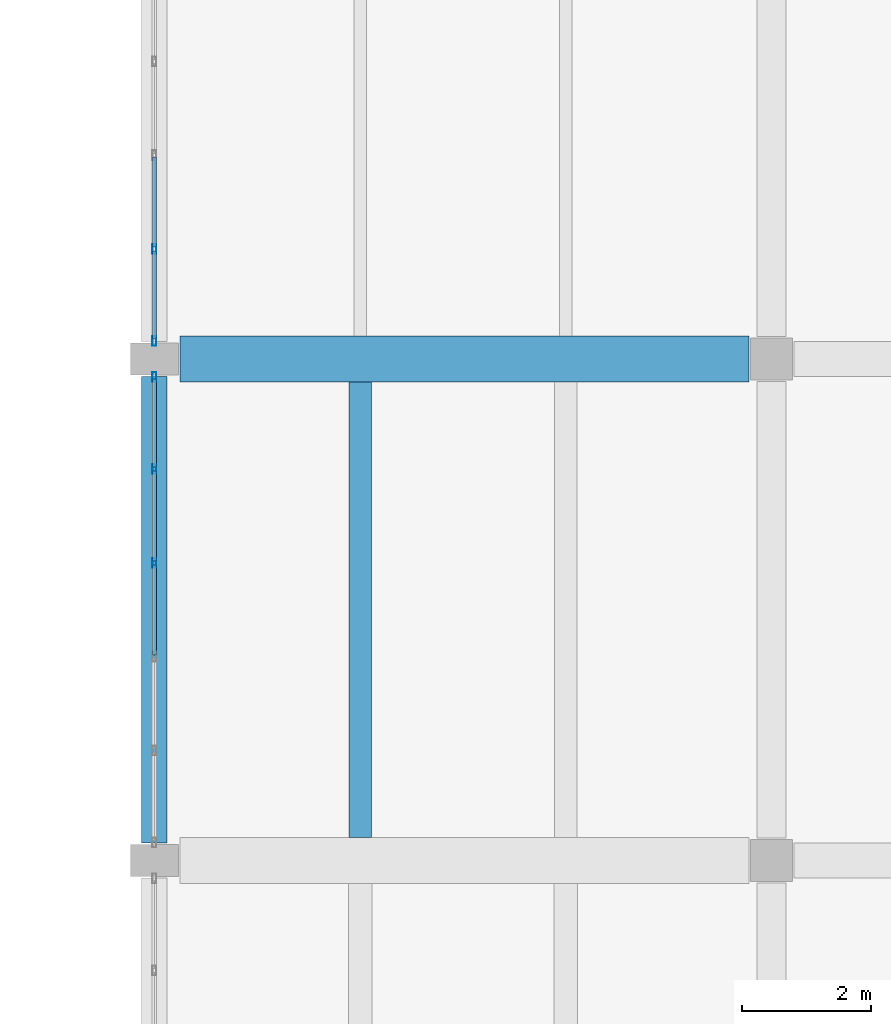
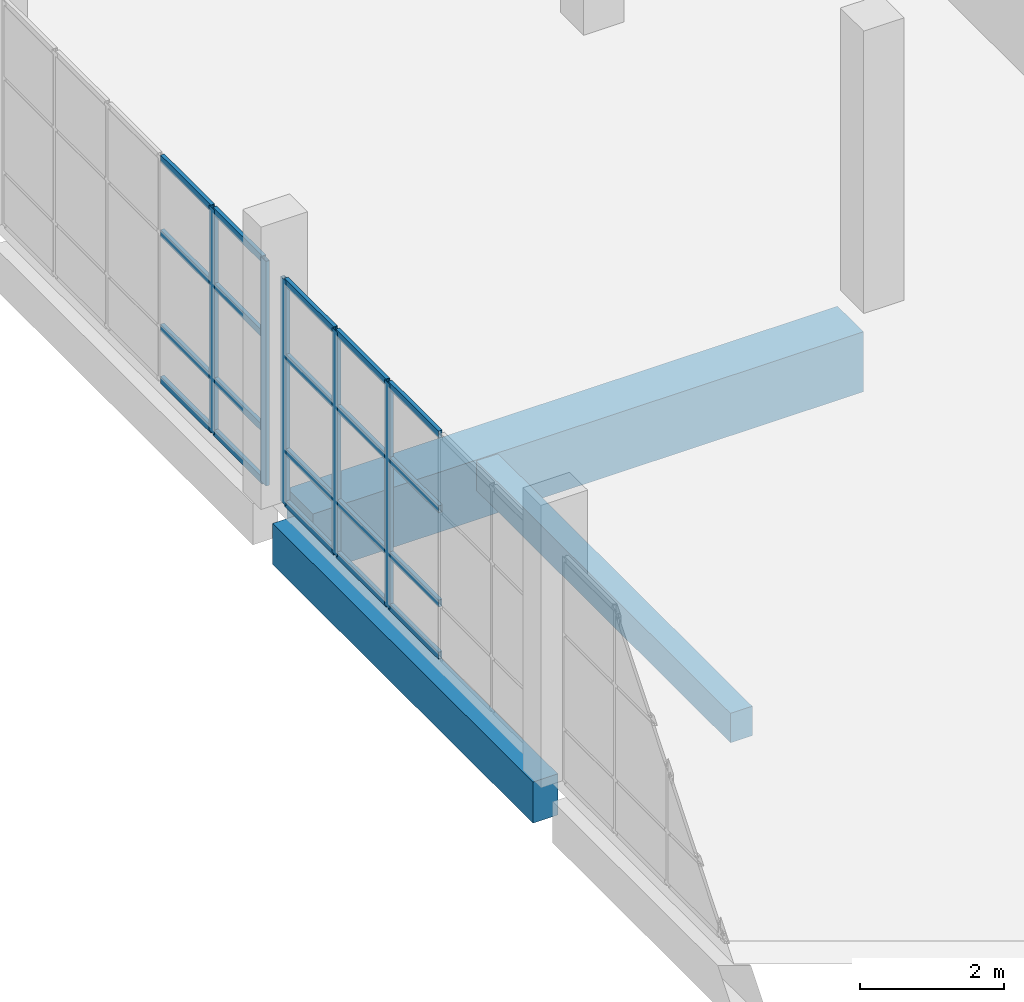
# One storey, part 39 of 79: 25 members, 3 beams, 2 elements without a shape of their own.
"""IFC4 building model written with IfcOpenShell, lengths in metres."""

from ifc_helpers import new_model, si_unit, direction, frame, origin, origin_2d, place, context, subcontext, project, spatial, rectangle, hollow_rectangle, extrude, material, material_profile, profile_set, type_object, element, aggregate, save


model = new_model("IFC4")

# Units and contexts
model_context = context("Model", 3, precision=1e-05, world=origin(), true_north=direction((0.0, 1.0)))
body_context = subcontext(model_context, "Body", "Model", "MODEL_VIEW")
ifc_project = project(units=[si_unit("LENGTHUNIT", "METRE"), si_unit("AREAUNIT", "SQUARE_METRE"), si_unit("VOLUMEUNIT", "CUBIC_METRE"), si_unit("PLANEANGLEUNIT", "RADIAN"), si_unit("MASSUNIT", "GRAM", prefix="KILO")], contexts=[model_context])

# Site, building, storey
site_placement = place(None, origin())
site = spatial("IfcSite", under=ifc_project, at=site_placement, CompositionType="ELEMENT")
building_placement = place(site_placement, origin())
building = spatial("IfcBuilding", under=site, at=building_placement, Name="Pellamere Symphony Hall", CompositionType="ELEMENT")
storey_placement = place(building_placement, frame((0.0, 0.0, 10.199951171875)))
storey = spatial("IfcBuildingStorey", under=building, at=storey_placement, Name="L02", CompositionType="ELEMENT", Elevation=10.199951171875)

# Curtain wall, members
ifc_material_1 = material(Name="Thermally Broken Anodised Aluminium 6063-T6 Curtain Wall", Category="aluminium")
curtain_wall_type = type_object("IfcCurtainWallType", Name="Curtain Wall CW-05 (Artists Wing North Studio Ribbon Curtain Wall)", PredefinedType="NOTDEFINED", material=ifc_material_1)
curtain_wall_1_placement = place(storey_placement, origin())
curtain_wall_1 = element("IfcCurtainWall", 1, at=curtain_wall_1_placement, inside=storey, type_object=curtain_wall_type, Name="Sculpture Court East Wing Curtain Wall (L02 Bay 2)", PredefinedType="NOTDEFINED")
ifc_material_2 = material(Name="Anodised Architectural Aluminium 6063-T6", Category="aluminium")
ifc_material_profile_1 = material_profile(ifc_material_2, hollow_rectangle(XDim=0.06005859375, YDim=0.14990234375, WallThickness=0.00390625, at=origin_2d()), Name="ALU-M60X150X4")
ifc_profile_set_1 = profile_set([ifc_material_profile_1], Name="Anodised Architectural Aluminium 6063-T6")
member_type_1 = type_object("IfcMemberType", Name="Curtain Wall Mullion ML-03 ALU-M60X150X4", PredefinedType="MULLION", material=ifc_profile_set_1)
member_1_placement = place(storey_placement, frame((138.0, 74.22998046875, 0.0), z_axis=(0.0, 0.0, 1.0), x_axis=(-1.0, 0.0, 0.0)))
member_1 = element("IfcMember", 2, at=member_1_placement, type_object=member_type_1, Name="CW5-138 crystal mullion 4", PredefinedType="MULLION", context=body_context, shape_type="SweptSolid", body=[
    extrude(hollow_rectangle(XDim=0.06005859375, YDim=0.14990234375, WallThickness=0.00390625, at=origin_2d()), origin(), (0.0, 0.0, 1.0), 3.820068359375),
])
member_2_placement = place(storey_placement, frame((138.0, 75.68994140625, 0.0), z_axis=(0.0, 0.0, 1.0), x_axis=(-1.0, 0.0, 0.0)))
member_2 = element("IfcMember", 3, at=member_2_placement, type_object=member_type_1, Name="CW5-138 crystal mullion 5", PredefinedType="MULLION", context=body_context, shape_type="SweptSolid", body=[
    extrude(hollow_rectangle(XDim=0.06005859375, YDim=0.14990234375, WallThickness=0.00390625, at=origin_2d()), origin(), (0.0, 0.0, 1.0), 3.820068359375),
])
member_3_placement = place(storey_placement, frame((138.0, 77.1201171875, 0.0), z_axis=(0.0, 0.0, 1.0), x_axis=(-1.0, 0.0, 0.0)))
member_3 = element("IfcMember", 4, at=member_3_placement, type_object=member_type_1, Name="CW5-138 crystal mullion 6", PredefinedType="MULLION", context=body_context, shape_type="SweptSolid", body=[
    extrude(hollow_rectangle(XDim=0.06005859375, YDim=0.14990234375, WallThickness=0.00390625, at=origin_2d()), origin(), (0.0, 0.0, 1.0), 3.820068359375),
])

curtain_wall_2_placement = place(storey_placement, origin())
curtain_wall_2 = element("IfcCurtainWall", 5, at=curtain_wall_2_placement, inside=storey, type_object=curtain_wall_type, Name="Sculpture Court East Wing Curtain Wall (L02 Bay 3)", PredefinedType="NOTDEFINED")
member_4_placement = place(storey_placement, frame((138.0, 77.679931640625, 0.0), z_axis=(0.0, 0.0, 1.0), x_axis=(-1.0, 0.0, 0.0)))
member_4 = element("IfcMember", 6, at=member_4_placement, type_object=member_type_1, Name="CW5-139 crystal mullion 1", PredefinedType="MULLION", context=body_context, shape_type="SweptSolid", body=[
    extrude(hollow_rectangle(XDim=0.06005859375, YDim=0.14990234375, WallThickness=0.00390625, at=origin_2d()), origin(), (0.0, 0.0, 1.0), 3.820068359375),
])
member_5_placement = place(storey_placement, frame((138.0, 79.110107421875, 0.0), z_axis=(0.0, 0.0, 1.0), x_axis=(-1.0, 0.0, 0.0)))
member_5 = element("IfcMember", 7, at=member_5_placement, type_object=member_type_1, Name="CW5-139 crystal mullion 2", PredefinedType="MULLION", context=body_context, shape_type="SweptSolid", body=[
    extrude(hollow_rectangle(XDim=0.06005859375, YDim=0.14990234375, WallThickness=0.00390625, at=origin_2d()), origin(), (0.0, 0.0, 1.0), 3.820068359375),
])

# Member
ifc_material_profile_2 = material_profile(ifc_material_2, hollow_rectangle(XDim=0.06005859375, YDim=0.1201171875, WallThickness=0.00390625, at=origin_2d()), Name="ALU-T60X120X4")
ifc_profile_set_2 = profile_set([ifc_material_profile_2], Name="Anodised Architectural Aluminium 6063-T6")
member_type_2 = type_object("IfcMemberType", Name="Curtain Wall Transom TR-03 ALU-T60X120X4", PredefinedType="USERDEFINED", material=ifc_profile_set_2)
member_6_placement = place(storey_placement, frame((138.0, 72.800048828125, 0.030029296875), z_axis=(0.0, 1.0, 0.0), x_axis=(-1.0, 0.0, 0.0)))
member_6 = element("IfcMember", 8, at=member_6_placement, type_object=member_type_2, Name="CW5-138 crystal transom 3.1", ObjectType="TRANSOM", PredefinedType="USERDEFINED", context=body_context, shape_type="SweptSolid", body=[
    extrude(hollow_rectangle(XDim=0.06005859375, YDim=0.1201171875, WallThickness=0.00390625, at=origin_2d()), origin(), (0.0, 0.0, 1.0), 1.39990234375),
])

member_7_placement = place(storey_placement, frame((138.0, 72.800048828125, 0.916748046875), z_axis=(0.0, 1.0, 0.0), x_axis=(-1.0, 0.0, 0.0)))
member_7 = element("IfcMember", 9, at=member_7_placement, type_object=member_type_2, Name="CW5-138 crystal transom 3.2", ObjectType="TRANSOM", PredefinedType="USERDEFINED", context=body_context, shape_type="SweptSolid", body=[
    extrude(hollow_rectangle(XDim=0.06005859375, YDim=0.1201171875, WallThickness=0.00390625, at=origin_2d()), origin(), (0.0, 0.0, 1.0), 1.39990234375),
])

member_8_placement = place(storey_placement, frame((138.0, 72.800048828125, 2.521240234375), z_axis=(0.0, 1.0, 0.0), x_axis=(-1.0, 0.0, 0.0)))
member_8 = element("IfcMember", 10, at=member_8_placement, type_object=member_type_2, Name="CW5-138 crystal transom 3.3", ObjectType="TRANSOM", PredefinedType="USERDEFINED", context=body_context, shape_type="SweptSolid", body=[
    extrude(hollow_rectangle(XDim=0.06005859375, YDim=0.1201171875, WallThickness=0.00390625, at=origin_2d()), origin(), (0.0, 0.0, 1.0), 1.39990234375),
])

member_9_placement = place(storey_placement, frame((138.0, 72.800048828125, 3.7900390625), z_axis=(0.0, 1.0, 0.0), x_axis=(-1.0, 0.0, 0.0)))
member_9 = element("IfcMember", 11, at=member_9_placement, type_object=member_type_2, Name="CW5-138 crystal transom 3.4", ObjectType="TRANSOM", PredefinedType="USERDEFINED", context=body_context, shape_type="SweptSolid", body=[
    extrude(hollow_rectangle(XDim=0.06005859375, YDim=0.1201171875, WallThickness=0.00390625, at=origin_2d()), origin(), (0.0, 0.0, 1.0), 1.39990234375),
])

member_10_placement = place(storey_placement, frame((138.0, 74.260009765625, 0.030029296875), z_axis=(0.0, 1.0, 0.0), x_axis=(-1.0, 0.0, 0.0)))
member_10 = element("IfcMember", 12, at=member_10_placement, type_object=member_type_2, Name="CW5-138 crystal transom 4.1", ObjectType="TRANSOM", PredefinedType="USERDEFINED", context=body_context, shape_type="SweptSolid", body=[
    extrude(hollow_rectangle(XDim=0.06005859375, YDim=0.1201171875, WallThickness=0.00390625, at=origin_2d()), origin(), (0.0, 0.0, 1.0), 1.39990234375),
])

member_11_placement = place(storey_placement, frame((138.0, 74.260009765625, 0.916748046875), z_axis=(0.0, 1.0, 0.0), x_axis=(-1.0, 0.0, 0.0)))
member_11 = element("IfcMember", 13, at=member_11_placement, type_object=member_type_2, Name="CW5-138 crystal transom 4.2", ObjectType="TRANSOM", PredefinedType="USERDEFINED", context=body_context, shape_type="SweptSolid", body=[
    extrude(hollow_rectangle(XDim=0.06005859375, YDim=0.1201171875, WallThickness=0.00390625, at=origin_2d()), origin(), (0.0, 0.0, 1.0), 1.39990234375),
])

member_12_placement = place(storey_placement, frame((138.0, 74.260009765625, 2.521240234375), z_axis=(0.0, 1.0, 0.0), x_axis=(-1.0, 0.0, 0.0)))
member_12 = element("IfcMember", 14, at=member_12_placement, type_object=member_type_2, Name="CW5-138 crystal transom 4.3", ObjectType="TRANSOM", PredefinedType="USERDEFINED", context=body_context, shape_type="SweptSolid", body=[
    extrude(hollow_rectangle(XDim=0.06005859375, YDim=0.1201171875, WallThickness=0.00390625, at=origin_2d()), origin(), (0.0, 0.0, 1.0), 1.39990234375),
])

member_13_placement = place(storey_placement, frame((138.0, 74.260009765625, 3.7900390625), z_axis=(0.0, 1.0, 0.0), x_axis=(-1.0, 0.0, 0.0)))
member_13 = element("IfcMember", 15, at=member_13_placement, type_object=member_type_2, Name="CW5-138 crystal transom 4.4", ObjectType="TRANSOM", PredefinedType="USERDEFINED", context=body_context, shape_type="SweptSolid", body=[
    extrude(hollow_rectangle(XDim=0.06005859375, YDim=0.1201171875, WallThickness=0.00390625, at=origin_2d()), origin(), (0.0, 0.0, 1.0), 1.39990234375),
])

member_14_placement = place(storey_placement, frame((138.0, 75.719970703125, 0.030029296875), z_axis=(0.0, 1.0, 0.0), x_axis=(-1.0, 0.0, 0.0)))
member_14 = element("IfcMember", 16, at=member_14_placement, type_object=member_type_2, Name="CW5-138 crystal transom 5.1", ObjectType="TRANSOM", PredefinedType="USERDEFINED", context=body_context, shape_type="SweptSolid", body=[
    extrude(hollow_rectangle(XDim=0.06005859375, YDim=0.1201171875, WallThickness=0.00390625, at=origin_2d()), origin(), (0.0, 0.0, 1.0), 1.3701171875),
])

member_15_placement = place(storey_placement, frame((138.0, 75.719970703125, 0.916748046875), z_axis=(0.0, 1.0, 0.0), x_axis=(-1.0, 0.0, 0.0)))
member_15 = element("IfcMember", 17, at=member_15_placement, type_object=member_type_2, Name="CW5-138 crystal transom 5.2", ObjectType="TRANSOM", PredefinedType="USERDEFINED", context=body_context, shape_type="SweptSolid", body=[
    extrude(hollow_rectangle(XDim=0.06005859375, YDim=0.1201171875, WallThickness=0.00390625, at=origin_2d()), origin(), (0.0, 0.0, 1.0), 1.3701171875),
])

member_16_placement = place(storey_placement, frame((138.0, 75.719970703125, 2.521240234375), z_axis=(0.0, 1.0, 0.0), x_axis=(-1.0, 0.0, 0.0)))
member_16 = element("IfcMember", 18, at=member_16_placement, type_object=member_type_2, Name="CW5-138 crystal transom 5.3", ObjectType="TRANSOM", PredefinedType="USERDEFINED", context=body_context, shape_type="SweptSolid", body=[
    extrude(hollow_rectangle(XDim=0.06005859375, YDim=0.1201171875, WallThickness=0.00390625, at=origin_2d()), origin(), (0.0, 0.0, 1.0), 1.3701171875),
])

member_17_placement = place(storey_placement, frame((138.0, 75.719970703125, 3.7900390625), z_axis=(0.0, 1.0, 0.0), x_axis=(-1.0, 0.0, 0.0)))
member_17 = element("IfcMember", 19, at=member_17_placement, type_object=member_type_2, Name="CW5-138 crystal transom 5.4", ObjectType="TRANSOM", PredefinedType="USERDEFINED", context=body_context, shape_type="SweptSolid", body=[
    extrude(hollow_rectangle(XDim=0.06005859375, YDim=0.1201171875, WallThickness=0.00390625, at=origin_2d()), origin(), (0.0, 0.0, 1.0), 1.3701171875),
])

aggregate(curtain_wall_1, [member_1, member_2, member_3, member_6, member_7, member_8, member_9, member_10, member_11, member_12, member_13, member_14, member_15, member_16, member_17])

member_18_placement = place(storey_placement, frame((138.0, 77.7099609375, 0.030029296875), z_axis=(0.0, 1.0, 0.0), x_axis=(-1.0, 0.0, 0.0)))
member_18 = element("IfcMember", 20, at=member_18_placement, type_object=member_type_2, Name="CW5-139 crystal transom 1.1", ObjectType="TRANSOM", PredefinedType="USERDEFINED", context=body_context, shape_type="SweptSolid", body=[
    extrude(hollow_rectangle(XDim=0.06005859375, YDim=0.1201171875, WallThickness=0.00390625, at=origin_2d()), origin(), (0.0, 0.0, 1.0), 1.3701171875),
])

member_19_placement = place(storey_placement, frame((138.0, 77.7099609375, 0.916748046875), z_axis=(0.0, 1.0, 0.0), x_axis=(-1.0, 0.0, 0.0)))
member_19 = element("IfcMember", 21, at=member_19_placement, type_object=member_type_2, Name="CW5-139 crystal transom 1.2", ObjectType="TRANSOM", PredefinedType="USERDEFINED", context=body_context, shape_type="SweptSolid", body=[
    extrude(hollow_rectangle(XDim=0.06005859375, YDim=0.1201171875, WallThickness=0.00390625, at=origin_2d()), origin(), (0.0, 0.0, 1.0), 1.3701171875),
])

member_20_placement = place(storey_placement, frame((138.0, 77.7099609375, 2.521240234375), z_axis=(0.0, 1.0, 0.0), x_axis=(-1.0, 0.0, 0.0)))
member_20 = element("IfcMember", 22, at=member_20_placement, type_object=member_type_2, Name="CW5-139 crystal transom 1.3", ObjectType="TRANSOM", PredefinedType="USERDEFINED", context=body_context, shape_type="SweptSolid", body=[
    extrude(hollow_rectangle(XDim=0.06005859375, YDim=0.1201171875, WallThickness=0.00390625, at=origin_2d()), origin(), (0.0, 0.0, 1.0), 1.3701171875),
])

member_21_placement = place(storey_placement, frame((138.0, 77.7099609375, 3.7900390625), z_axis=(0.0, 1.0, 0.0), x_axis=(-1.0, 0.0, 0.0)))
member_21 = element("IfcMember", 23, at=member_21_placement, type_object=member_type_2, Name="CW5-139 crystal transom 1.4", ObjectType="TRANSOM", PredefinedType="USERDEFINED", context=body_context, shape_type="SweptSolid", body=[
    extrude(hollow_rectangle(XDim=0.06005859375, YDim=0.1201171875, WallThickness=0.00390625, at=origin_2d()), origin(), (0.0, 0.0, 1.0), 1.3701171875),
])

member_22_placement = place(storey_placement, frame((138.0, 79.139892578125, 0.030029296875), z_axis=(0.0, 1.0, 0.0), x_axis=(-1.0, 0.0, 0.0)))
member_22 = element("IfcMember", 24, at=member_22_placement, type_object=member_type_2, Name="CW5-139 crystal transom 2.1", ObjectType="TRANSOM", PredefinedType="USERDEFINED", context=body_context, shape_type="SweptSolid", body=[
    extrude(hollow_rectangle(XDim=0.06005859375, YDim=0.1201171875, WallThickness=0.00390625, at=origin_2d()), origin(), (0.0, 0.0, 1.0), 1.400146484375),
])

member_23_placement = place(storey_placement, frame((138.0, 79.139892578125, 0.916748046875), z_axis=(0.0, 1.0, 0.0), x_axis=(-1.0, 0.0, 0.0)))
member_23 = element("IfcMember", 25, at=member_23_placement, type_object=member_type_2, Name="CW5-139 crystal transom 2.2", ObjectType="TRANSOM", PredefinedType="USERDEFINED", context=body_context, shape_type="SweptSolid", body=[
    extrude(hollow_rectangle(XDim=0.06005859375, YDim=0.1201171875, WallThickness=0.00390625, at=origin_2d()), origin(), (0.0, 0.0, 1.0), 1.400146484375),
])

member_24_placement = place(storey_placement, frame((138.0, 79.139892578125, 2.521240234375), z_axis=(0.0, 1.0, 0.0), x_axis=(-1.0, 0.0, 0.0)))
member_24 = element("IfcMember", 26, at=member_24_placement, type_object=member_type_2, Name="CW5-139 crystal transom 2.3", ObjectType="TRANSOM", PredefinedType="USERDEFINED", context=body_context, shape_type="SweptSolid", body=[
    extrude(hollow_rectangle(XDim=0.06005859375, YDim=0.1201171875, WallThickness=0.00390625, at=origin_2d()), origin(), (0.0, 0.0, 1.0), 1.400146484375),
])

member_25_placement = place(storey_placement, frame((138.0, 79.139892578125, 3.7900390625), z_axis=(0.0, 1.0, 0.0), x_axis=(-1.0, 0.0, 0.0)))
member_25 = element("IfcMember", 27, at=member_25_placement, type_object=member_type_2, Name="CW5-139 crystal transom 2.4", ObjectType="TRANSOM", PredefinedType="USERDEFINED", context=body_context, shape_type="SweptSolid", body=[
    extrude(hollow_rectangle(XDim=0.06005859375, YDim=0.1201171875, WallThickness=0.00390625, at=origin_2d()), origin(), (0.0, 0.0, 1.0), 1.400146484375),
])

aggregate(curtain_wall_2, [member_4, member_5, member_18, member_19, member_20, member_21, member_22, member_23, member_24, member_25])

# Beams
ifc_material_3 = material(Name="Concrete 35 MPa", Category="concrete")
ifc_material_profile_3 = material_profile(ifc_material_3, rectangle(XDim=0.35009765625, YDim=0.5, at=origin_2d()), Name="RC 350x500")
ifc_profile_set_3 = profile_set([ifc_material_profile_3], Name="Concrete 35 MPa")
beam_type_1 = type_object("IfcBeamType", Name="RC CB-11 350x500", PredefinedType="BEAM", material=ifc_profile_set_3)
beam_1_placement = place(storey_placement, frame((141.199951171875, 69.9599609375, -0.544921875), z_axis=(0.0, 1.0, 0.0), x_axis=(-1.0, 0.0, 0.0)))
element("IfcBeam", 28, at=beam_1_placement, inside=storey, type_object=beam_type_1, Name="Secondary Floor Beam CB-11-A1709 (L02)", PredefinedType="BEAM", context=body_context, shape_type="SweptSolid", body=[
    extrude(rectangle(XDim=0.35009765625, YDim=0.5, at=origin_2d()), origin(), (0.0, 0.0, 1.0), 7.080078125),
])
ifc_material_4 = material(Name="Concrete 40 MPa", Category="concrete")
ifc_material_profile_4 = material_profile(ifc_material_4, rectangle(XDim=0.39990234375, YDim=0.699951171875, at=origin_2d()), Name="RC 400x700")
ifc_profile_set_4 = profile_set([ifc_material_profile_4], Name="Concrete 40 MPa")
beam_type_2 = type_object("IfcBeamType", Name="RC CB-13 400x700", PredefinedType="SPANDREL", material=ifc_profile_set_4)
beam_2_placement = place(storey_placement, frame((138.0, 69.875, -0.6298828125), z_axis=(0.0, 1.0, 0.0), x_axis=(-1.0, 0.0, 0.0)))
element("IfcBeam", 29, at=beam_2_placement, inside=storey, type_object=beam_type_2, Name="Girder CB-13-Y1350 (L02)", PredefinedType="SPANDREL", context=body_context, shape_type="SweptSolid", body=[
    extrude(rectangle(XDim=0.39990234375, YDim=0.699951171875, at=origin_2d()), origin(), (0.0, 0.0, 1.0), 7.25),
])
ifc_material_profile_5 = material_profile(ifc_material_4, rectangle(XDim=0.719970703125, YDim=1.02001953125, at=origin_2d()), Name="RC 720x1020")
ifc_profile_set_5 = profile_set([ifc_material_profile_5], Name="Concrete 40 MPa")
beam_type_3 = type_object("IfcBeamType", Name="RC CB-23 720x1020", PredefinedType="BEAM", material=ifc_profile_set_5)
beam_3_placement = place(storey_placement, frame((138.39990234375, 77.39990234375, -0.7900390625), z_axis=(1.0, 0.0, 0.0), x_axis=(0.0, 1.0, 0.0)))
element("IfcBeam", 30, at=beam_3_placement, inside=storey, type_object=beam_type_3, Name="Girder CB-23-X1163 (L02)", PredefinedType="BEAM", context=body_context, shape_type="SweptSolid", body=[
    extrude(rectangle(XDim=0.719970703125, YDim=1.02001953125, at=origin_2d()), origin(), (0.0, 0.0, 1.0), 8.85009765625),
])

save(model, "model.ifc")
